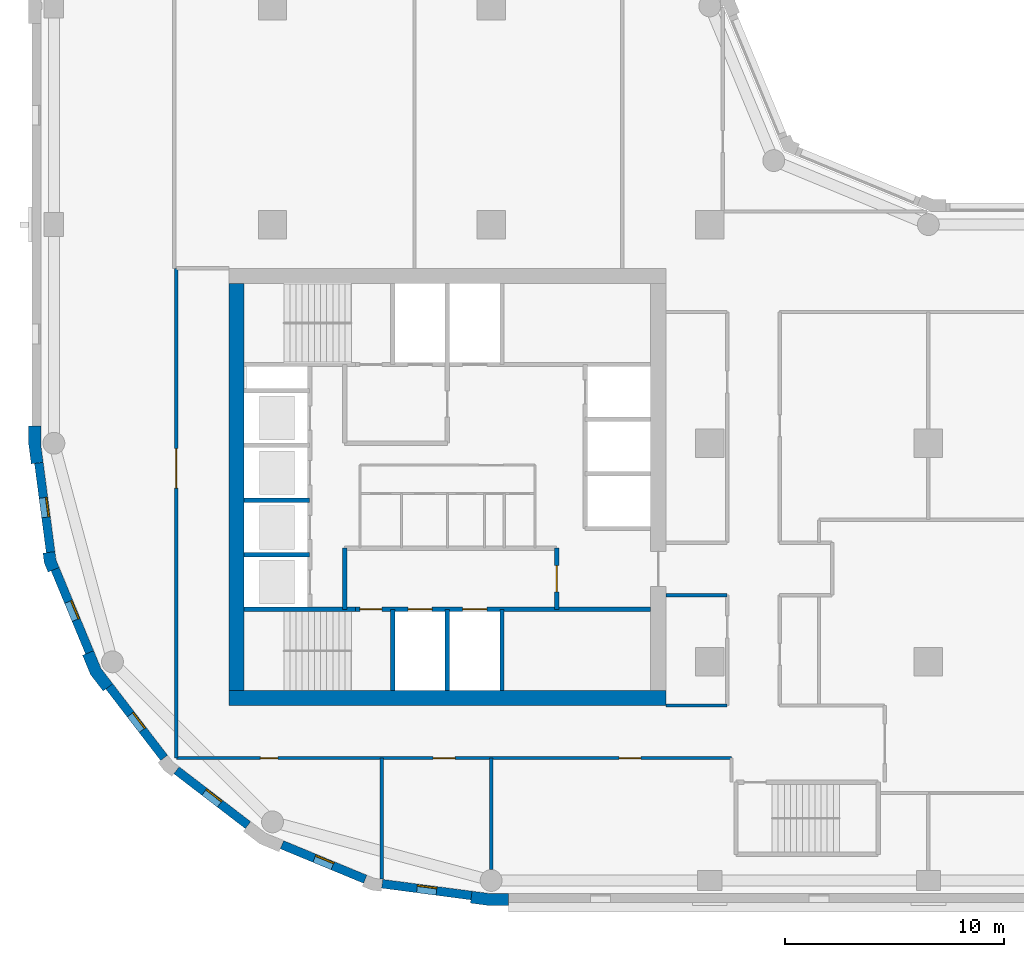
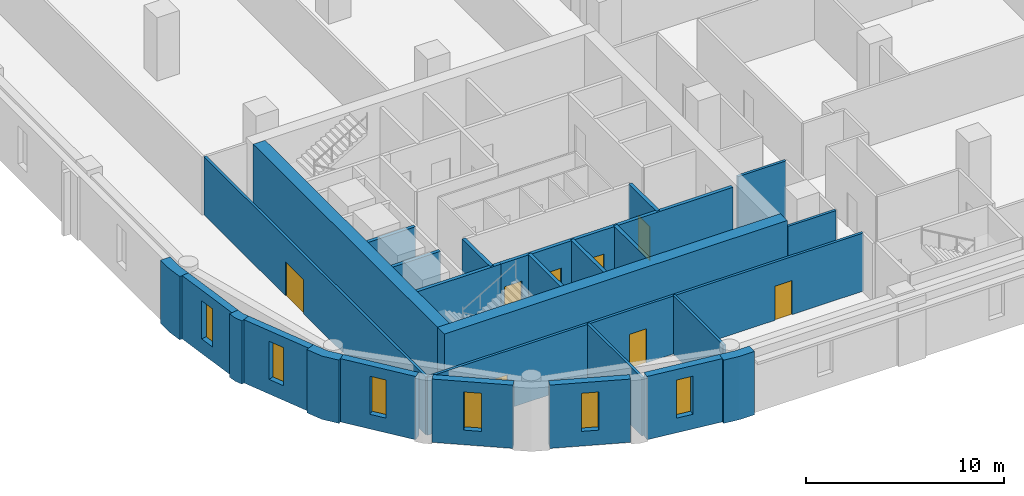
# One storey, part 2 of 9: 27 walls, 8 doors, 6 windows, 14 openings.
"""IFC4 building model written with IfcOpenShell, lengths in metres."""

from ifc_helpers import new_model, si_unit, direction, frame, frame_2d, origin, place, context, subcontext, project, spatial, polyline, rectangle, outline, extrude, material, layer, layer_set, type_object, element, fill, save


model = new_model("IFC4")

# Units and contexts
model_context = context("Model", 3, precision=1e-05, world=origin(), true_north=direction((0.0, 1.0)))
body_context = subcontext(model_context, "Body", "Model", "MODEL_VIEW")
ifc_project = project(units=[si_unit("LENGTHUNIT", "METRE"), si_unit("AREAUNIT", "SQUARE_METRE"), si_unit("VOLUMEUNIT", "CUBIC_METRE"), si_unit("PLANEANGLEUNIT", "RADIAN"), si_unit("MASSUNIT", "GRAM", prefix="KILO")], contexts=[model_context])

# Site, building, storey
site_placement = place(None, origin())
site = spatial("IfcSite", under=ifc_project, at=site_placement, CompositionType="ELEMENT")
building_placement = place(site_placement, origin())
building = spatial("IfcBuilding", under=site, at=building_placement, Name="Qaws Garden Tower", CompositionType="ELEMENT")
storey_placement = place(building_placement, frame((0.0, 0.0, 151.199951171875)))
storey = spatial("IfcBuildingStorey", under=building, at=storey_placement, Name="L36", CompositionType="ELEMENT", Elevation=151.199951171875)

# Wall, opening, window
ifc_material_1 = material(Name="Clay facing brick masonry", Category="masonry")
ifc_layer_1 = layer(ifc_material_1, 0.39990234375)
ifc_layer_set_1 = layer_set([ifc_layer_1], Name="Clay facing brick masonry")
wall_type_1 = type_object("IfcWallType", Name="Brick infill wall 400", PredefinedType="SOLIDWALL", material=ifc_layer_set_1)
wall_1_placement = place(storey_placement, frame((-0.688720703125, 19.102294921875, 0.0), z_axis=(0.0, 0.0, 1.0), x_axis=(0.130514280502, -0.991446429508, 0.0)))
wall_1 = element("IfcWall", 1, at=wall_1_placement, inside=storey, type_object=wall_type_1, Name="E-L36-infill-25", PredefinedType="SOLIDWALL", context=body_context, shape_type="SweptSolid", body=[
    extrude(rectangle(XDim=4.120849609375, YDim=0.39990234375, at=frame_2d((2.060546875, 0.0))), origin(), (0.0, 0.0, 1.0), 3.900146484375),
])
opening_1_placement = place(wall_1_placement, frame((1.610595703125, 0.0, 0.89990234375)))
opening_1 = element("IfcOpeningElement", 2, at=opening_1_placement, cuts=wall_1, Name="Opening W09", PredefinedType="OPENING", context=body_context, shape_type="SweptSolid", body=[
    extrude(rectangle(XDim=0.89990234375, YDim=2.35009765625, at=frame_2d((0.449951171875, 1.175048828125))), frame((0.0, 0.2099609375, 0.0), z_axis=(0.0, -1.0, 0.0), x_axis=(1.0, 0.0, 0.0)), (0.0, 0.0, 1.0), 0.419921875),
])
ifc_material_2 = material(Name="Aluminium framed window, clear glazing", Category="aluminium")
window_type = type_object("IfcWindowType", Name="Slit window 900 x 2350", PartitioningType="SINGLE_PANEL", PredefinedType="WINDOW", material=ifc_material_2)
window_1_placement = place(opening_1_placement, origin())
window_1 = element("IfcWindow", 3, at=window_1_placement, inside=storey, type_object=window_type, Name="E-L36-window-25-0", OverallHeight=2.35009765625, OverallWidth=0.89990234375, PartitioningType="SINGLE_PANEL", PredefinedType="WINDOW", context=body_context, shape_type="SweptSolid", body=[
    extrude(rectangle(XDim=0.89990234375, YDim=2.35009765625, at=frame_2d((0.449951171875, 1.175048828125))), frame((0.0, 0.159912109375, 0.0), z_axis=(0.0, -1.0, 0.0), x_axis=(1.0, 0.0, 0.0)), (0.0, 0.0, 1.0), 0.06005859375),
])
fill(opening_1, window_1)

wall_2_placement = place(storey_placement, frame((0.05712890625, 14.240234375, 0.0), z_axis=(0.0, 0.0, 1.0), x_axis=(0.382721546029, -0.923863744394, 0.0)))
wall_2 = element("IfcWall", 4, at=wall_2_placement, inside=storey, type_object=wall_type_1, Name="E-L36-infill-26", PredefinedType="SOLIDWALL", context=body_context, shape_type="SweptSolid", body=[
    extrude(rectangle(XDim=4.120849609375, YDim=0.39990234375, at=frame_2d((2.060546875, 0.0))), origin(), (0.0, 0.0, 1.0), 3.900146484375),
])
opening_2_placement = place(wall_2_placement, frame((1.610595703125, 0.0, 0.89990234375)))
opening_2 = element("IfcOpeningElement", 5, at=opening_2_placement, cuts=wall_2, Name="Opening W09", PredefinedType="OPENING", context=body_context, shape_type="SweptSolid", body=[
    extrude(rectangle(XDim=0.89990234375, YDim=2.35009765625, at=frame_2d((0.449951171875, 1.175048828125))), frame((0.0, 0.2099609375, 0.0), z_axis=(0.0, -1.0, 0.0), x_axis=(1.0, 0.0, 0.0)), (0.0, 0.0, 1.0), 0.419921875),
])
window_2_placement = place(opening_2_placement, origin())
window_2 = element("IfcWindow", 6, at=window_2_placement, inside=storey, type_object=window_type, Name="E-L36-window-26-0", OverallHeight=2.35009765625, OverallWidth=0.89990234375, PartitioningType="SINGLE_PANEL", PredefinedType="WINDOW", context=body_context, shape_type="SweptSolid", body=[
    extrude(rectangle(XDim=0.89990234375, YDim=2.35009765625, at=frame_2d((0.449951171875, 1.175048828125))), frame((0.0, 0.159912109375, 0.0), z_axis=(0.0, -1.0, 0.0), x_axis=(1.0, 0.0, 0.0)), (0.0, 0.0, 1.0), 0.06005859375),
])
fill(opening_2, window_2)

wall_3_placement = place(storey_placement, frame((2.53173828125, 8.87841796875, 0.0), z_axis=(0.0, 0.0, 1.0), x_axis=(0.608759824817, -0.793354571229, 0.0)))
wall_3 = element("IfcWall", 7, at=wall_3_placement, inside=storey, type_object=wall_type_1, Name="E-L36-infill-27", PredefinedType="SOLIDWALL", context=body_context, shape_type="SweptSolid", body=[
    extrude(rectangle(XDim=4.12109375, YDim=0.39990234375, at=frame_2d((2.060546875, 0.0))), origin(), (0.0, 0.0, 1.0), 3.900146484375),
])
opening_3_placement = place(wall_3_placement, frame((1.610595703125, 0.0, 0.89990234375)))
opening_3 = element("IfcOpeningElement", 8, at=opening_3_placement, cuts=wall_3, Name="Opening W09", PredefinedType="OPENING", context=body_context, shape_type="SweptSolid", body=[
    extrude(rectangle(XDim=0.89990234375, YDim=2.35009765625, at=frame_2d((0.449951171875, 1.175048828125))), frame((0.0, 0.2099609375, 0.0), z_axis=(0.0, -1.0, 0.0), x_axis=(1.0, 0.0, 0.0)), (0.0, 0.0, 1.0), 0.419921875),
])
window_3_placement = place(opening_3_placement, origin())
window_3 = element("IfcWindow", 9, at=window_3_placement, inside=storey, type_object=window_type, Name="E-L36-window-27-0", OverallHeight=2.35009765625, OverallWidth=0.89990234375, PartitioningType="SINGLE_PANEL", PredefinedType="WINDOW", context=body_context, shape_type="SweptSolid", body=[
    extrude(rectangle(XDim=0.89990234375, YDim=2.35009765625, at=frame_2d((0.449951171875, 1.175048828125))), frame((0.0, 0.159912109375, 0.0), z_axis=(0.0, -1.0, 0.0), x_axis=(1.0, 0.0, 0.0)), (0.0, 0.0, 1.0), 0.06005859375),
])
fill(opening_3, window_3)

wall_4_placement = place(storey_placement, frame((5.60888671875, 5.04052734375, 0.0), z_axis=(0.0, 0.0, 1.0), x_axis=(0.793354571229, -0.608759824817, 0.0)))
wall_4 = element("IfcWall", 10, at=wall_4_placement, inside=storey, type_object=wall_type_1, Name="E-L36-infill-28", PredefinedType="SOLIDWALL", context=body_context, shape_type="SweptSolid", body=[
    extrude(rectangle(XDim=4.12109375, YDim=0.39990234375, at=frame_2d((2.060546875, 0.0))), origin(), (0.0, 0.0, 1.0), 3.900146484375),
])
opening_4_placement = place(wall_4_placement, frame((1.610595703125, 0.0, 0.89990234375)))
opening_4 = element("IfcOpeningElement", 11, at=opening_4_placement, cuts=wall_4, Name="Opening W09", PredefinedType="OPENING", context=body_context, shape_type="SweptSolid", body=[
    extrude(rectangle(XDim=0.89990234375, YDim=2.35009765625, at=frame_2d((0.449951171875, 1.175048828125))), frame((0.0, 0.2099609375, 0.0), z_axis=(0.0, -1.0, 0.0), x_axis=(1.0, 0.0, 0.0)), (0.0, 0.0, 1.0), 0.419921875),
])
window_4_placement = place(opening_4_placement, origin())
window_4 = element("IfcWindow", 12, at=window_4_placement, inside=storey, type_object=window_type, Name="E-L36-window-28-0", OverallHeight=2.35009765625, OverallWidth=0.89990234375, PartitioningType="SINGLE_PANEL", PredefinedType="WINDOW", context=body_context, shape_type="SweptSolid", body=[
    extrude(rectangle(XDim=0.89990234375, YDim=2.35009765625, at=frame_2d((0.449951171875, 1.175048828125))), frame((0.0, 0.159912109375, 0.0), z_axis=(0.0, -1.0, 0.0), x_axis=(1.0, 0.0, 0.0)), (0.0, 0.0, 1.0), 0.06005859375),
])
fill(opening_4, window_4)

wall_5_placement = place(storey_placement, frame((10.43310546875, 1.63427734375, 0.0), z_axis=(0.0, 0.0, 1.0), x_axis=(0.923863744394, -0.382721546029, 0.0)))
wall_5 = element("IfcWall", 13, at=wall_5_placement, inside=storey, type_object=wall_type_1, Name="E-L36-infill-29", PredefinedType="SOLIDWALL", context=body_context, shape_type="SweptSolid", body=[
    extrude(rectangle(XDim=4.120849609375, YDim=0.39990234375, at=frame_2d((2.060546875, 0.0))), origin(), (0.0, 0.0, 1.0), 3.900146484375),
])
opening_5_placement = place(wall_5_placement, frame((1.610595703125, 0.0, 0.89990234375)))
opening_5 = element("IfcOpeningElement", 14, at=opening_5_placement, cuts=wall_5, Name="Opening W09", PredefinedType="OPENING", context=body_context, shape_type="SweptSolid", body=[
    extrude(rectangle(XDim=0.89990234375, YDim=2.35009765625, at=frame_2d((0.449951171875, 1.175048828125))), frame((0.0, 0.2099609375, 0.0), z_axis=(0.0, -1.0, 0.0), x_axis=(1.0, 0.0, 0.0)), (0.0, 0.0, 1.0), 0.419921875),
])
window_5_placement = place(opening_5_placement, origin())
window_5 = element("IfcWindow", 15, at=window_5_placement, inside=storey, type_object=window_type, Name="E-L36-window-29-0", OverallHeight=2.35009765625, OverallWidth=0.89990234375, PartitioningType="SINGLE_PANEL", PredefinedType="WINDOW", context=body_context, shape_type="SweptSolid", body=[
    extrude(rectangle(XDim=0.89990234375, YDim=2.35009765625, at=frame_2d((0.449951171875, 1.175048828125))), frame((0.0, 0.159912109375, 0.0), z_axis=(0.0, -1.0, 0.0), x_axis=(1.0, 0.0, 0.0)), (0.0, 0.0, 1.0), 0.06005859375),
])
fill(opening_5, window_5)

wall_6_placement = place(storey_placement, frame((15.0166015625, -0.15087890625, 0.0), z_axis=(0.0, 0.0, 1.0), x_axis=(0.991446429508, -0.130514280502, 0.0)))
wall_6 = element("IfcWall", 16, at=wall_6_placement, inside=storey, type_object=wall_type_1, Name="E-L36-infill-30", PredefinedType="SOLIDWALL", context=body_context, shape_type="SweptSolid", body=[
    extrude(rectangle(XDim=4.120849609375, YDim=0.39990234375, at=frame_2d((2.060546875, 0.0))), origin(), (0.0, 0.0, 1.0), 3.900146484375),
])
opening_6_placement = place(wall_6_placement, frame((1.610595703125, 0.0, 0.89990234375)))
opening_6 = element("IfcOpeningElement", 17, at=opening_6_placement, cuts=wall_6, Name="Opening W09", PredefinedType="OPENING", context=body_context, shape_type="SweptSolid", body=[
    extrude(rectangle(XDim=0.89990234375, YDim=2.35009765625, at=frame_2d((0.449951171875, 1.175048828125))), frame((0.0, 0.2099609375, 0.0), z_axis=(0.0, -1.0, 0.0), x_axis=(1.0, 0.0, 0.0)), (0.0, 0.0, 1.0), 0.419921875),
])
window_6_placement = place(opening_6_placement, origin())
window_6 = element("IfcWindow", 18, at=window_6_placement, inside=storey, type_object=window_type, Name="E-L36-window-30-0", OverallHeight=2.35009765625, OverallWidth=0.89990234375, PartitioningType="SINGLE_PANEL", PredefinedType="WINDOW", context=body_context, shape_type="SweptSolid", body=[
    extrude(rectangle(XDim=0.89990234375, YDim=2.35009765625, at=frame_2d((0.449951171875, 1.175048828125))), frame((0.0, 0.159912109375, 0.0), z_axis=(0.0, -1.0, 0.0), x_axis=(1.0, 0.0, 0.0)), (0.0, 0.0, 1.0), 0.06005859375),
])
fill(opening_6, window_6)

# Walls
ifc_material_3 = material(Name="Clay facing brick masonry", Category="masonry")
ifc_layer_2 = layer(ifc_material_3, 0.550048828125)
ifc_layer_set_2 = layer_set([ifc_layer_2], Name="Clay facing brick masonry")
wall_type_2 = type_object("IfcWallType", Name="Brick kink pier 550 x 600", PredefinedType="SOLIDWALL", material=ifc_layer_set_2)
placement = place(storey_placement, origin())
element("IfcWall", 19, at=placement, inside=storey, type_object=wall_type_2, Name="E-L36-pier-26", PredefinedType="SOLIDWALL", context=body_context, shape_type="SweptSolid", body=[
    extrude(outline(polyline([(-0.34912109375, 14.990478515625), (-0.497802734375, 14.970947265625), (-0.43896484375, 14.5234375), (-0.26611328125, 14.1064453125), (-0.127685546875, 14.163818359375), (0.241943359375, 14.31689453125), (0.096923828125, 14.6669921875), (0.04736328125, 15.042724609375), (-0.34912109375, 14.990478515625)])), origin(), (0.0, 0.0, 1.0), 3.900146484375),
])
ifc_material_4 = material(Name="Clay facing brick masonry", Category="masonry")
ifc_layer_3 = layer(ifc_material_4, 0.550048828125)
ifc_layer_set_3 = layer_set([ifc_layer_3], Name="Clay facing brick masonry")
wall_type_3 = type_object("IfcWallType", Name="Brick pier 550 x 1600", PredefinedType="SOLIDWALL", material=ifc_layer_set_3)
element("IfcWall", 20, at=placement, inside=storey, type_object=wall_type_3, Name="E-L36-pier-00", PredefinedType="SOLIDWALL", context=body_context, shape_type="SweptSolid", body=[
    extrude(outline(polyline([(19.076416015625, -0.886962890625), (19.056640625, -1.03564453125), (19.924560546875, -1.14990234375), (20.800048828125, -1.14990234375), (20.800048828125, -1.0), (20.800048828125, -0.60009765625), (19.960693359375, -0.60009765625), (19.12841796875, -0.490478515625), (19.076416015625, -0.886962890625)])), origin(), (0.0, 0.0, 1.0), 3.900146484375),
])
element("IfcWall", 21, at=placement, inside=storey, type_object=wall_type_3, Name="E-L36-pier-25", PredefinedType="SOLIDWALL", context=body_context, shape_type="SweptSolid", body=[
    extrude(outline(polyline([(-1.0, 20.800048828125), (-1.14990234375, 20.800048828125), (-1.14990234375, 19.924560546875), (-1.03564453125, 19.056640625), (-0.886962890625, 19.076416015625), (-0.490478515625, 19.12841796875), (-0.60009765625, 19.960693359375), (-0.60009765625, 20.800048828125), (-1.0, 20.800048828125)])), origin(), (0.0, 0.0, 1.0), 3.900146484375),
])
element("IfcWall", 22, at=placement, inside=storey, type_object=wall_type_3, Name="E-L36-pier-27", PredefinedType="SOLIDWALL", context=body_context, shape_type="SweptSolid", body=[
    extrude(outline(polyline([(1.449462890625, 10.3564453125), (1.310791015625, 10.299072265625), (1.675048828125, 9.419921875), (2.254150390625, 8.665283203125), (2.373046875, 8.756591796875), (2.6904296875, 9.0), (2.1552734375, 9.697509765625), (1.819091796875, 10.509521484375), (1.449462890625, 10.3564453125)])), origin(), (0.0, 0.0, 1.0), 3.900146484375),
])
ifc_material_5 = material(Name="Concrete C70", Category="concrete")
ifc_layer_4 = layer(ifc_material_5, 0.199951171875)
ifc_layer_set_4 = layer_set([ifc_layer_4], Name="Concrete C70")
wall_type_4 = type_object("IfcWallType", Name="Core shaft wall 200 C70", PredefinedType="SHEAR", material=ifc_layer_set_4)
wall_11_placement = place(storey_placement, frame((8.699951171875, 12.39990234375, 0.0), z_axis=(0.0, 0.0, 1.0), x_axis=(1.0, 0.0, 0.0)))
element("IfcWall", 23, at=wall_11_placement, inside=storey, type_object=wall_type_4, Name="Shaft wall", PredefinedType="SHEAR", context=body_context, shape_type="SweptSolid", body=[
    extrude(rectangle(XDim=5.10009765625, YDim=0.199951171875, at=frame_2d((2.550048828125, 0.0))), origin(), (0.0, 0.0, 1.0), 3.580078125),
])

# Wall, openings, doors
wall_12_placement = place(storey_placement, frame((13.800048828125, 12.39990234375, 0.0), z_axis=(0.0, 0.0, 1.0), x_axis=(1.0, 0.0, 0.0)))
wall_12 = element("IfcWall", 24, at=wall_12_placement, inside=storey, type_object=wall_type_4, Name="Shaft wall", PredefinedType="SHEAR", context=body_context, shape_type="SweptSolid", body=[
    extrude(rectangle(XDim=13.5, YDim=0.199951171875, at=frame_2d((6.75, 0.0))), origin(), (0.0, 0.0, 1.0), 3.580078125),
])
opening_7_placement = place(wall_12_placement, frame((2.39990234375, 0.0, 0.0)))
opening_7 = element("IfcOpeningElement", 25, at=opening_7_placement, cuts=wall_12, Name="Opening LD06", PredefinedType="OPENING", context=body_context, shape_type="SweptSolid", body=[
    extrude(rectangle(XDim=1.10009765625, YDim=2.10009765625, at=frame_2d((0.550048828125, 1.050048828125))), frame((0.0, 0.10986328125, 0.0), z_axis=(0.0, -1.0, 0.0), x_axis=(1.0, 0.0, 0.0)), (0.0, 0.0, 1.0), 0.219970703125),
])
opening_8_placement = place(wall_12_placement, frame((4.89990234375, 0.0, 0.0)))
opening_8 = element("IfcOpeningElement", 26, at=opening_8_placement, cuts=wall_12, Name="Opening LD07", PredefinedType="OPENING", context=body_context, shape_type="SweptSolid", body=[
    extrude(rectangle(XDim=1.10009765625, YDim=2.10009765625, at=frame_2d((0.550048828125, 1.050048828125))), frame((0.0, 0.10986328125, 0.0), z_axis=(0.0, -1.0, 0.0), x_axis=(1.0, 0.0, 0.0)), (0.0, 0.0, 1.0), 0.219970703125),
])
opening_9_placement = place(wall_12_placement, frame((0.199951171875, 0.0, 0.0)))
opening_9 = element("IfcOpeningElement", 27, at=opening_9_placement, cuts=wall_12, Name="Opening SD10", PredefinedType="OPENING", context=body_context, shape_type="SweptSolid", body=[
    extrude(rectangle(XDim=1.0, YDim=2.10009765625, at=frame_2d((0.5, 1.050048828125))), frame((0.0, 0.10986328125, 0.0), z_axis=(0.0, -1.0, 0.0), x_axis=(1.0, 0.0, 0.0)), (0.0, 0.0, 1.0), 0.219970703125),
])
ifc_material_6 = material(Name="Steel S235", Category="steel")
door_type_1 = type_object("IfcDoorType", Name="Landing door 1100x2100", OperationType="DOUBLE_DOOR_SLIDING", PredefinedType="DOOR", material=ifc_material_6)
door_1_placement = place(opening_7_placement, origin())
door_1 = element("IfcDoor", 28, at=door_1_placement, inside=storey, type_object=door_type_1, Name="Lift FF1 landing door", OperationType="DOUBLE_DOOR_SLIDING", OverallHeight=2.10009765625, OverallWidth=1.10009765625, PredefinedType="DOOR", context=body_context, shape_type="SweptSolid", body=[
    extrude(rectangle(XDim=1.10009765625, YDim=2.10009765625, at=frame_2d((0.550048828125, 1.050048828125))), frame((0.0, 0.02490234375, 0.0), z_axis=(0.0, -1.0, 0.0), x_axis=(1.0, 0.0, 0.0)), (0.0, 0.0, 1.0), 0.050048828125),
])
fill(opening_7, door_1)
door_2_placement = place(opening_8_placement, origin())
door_2 = element("IfcDoor", 29, at=door_2_placement, inside=storey, type_object=door_type_1, Name="Lift FF2 landing door", OperationType="DOUBLE_DOOR_SLIDING", OverallHeight=2.10009765625, OverallWidth=1.10009765625, PredefinedType="DOOR", context=body_context, shape_type="SweptSolid", body=[
    extrude(rectangle(XDim=1.10009765625, YDim=2.10009765625, at=frame_2d((0.550048828125, 1.050048828125))), frame((0.0, 0.02490234375, 0.0), z_axis=(0.0, -1.0, 0.0), x_axis=(1.0, 0.0, 0.0)), (0.0, 0.0, 1.0), 0.050048828125),
])
fill(opening_8, door_2)
ifc_material_7 = material(Name="Steel S235", Category="steel")
door_type_2 = type_object("IfcDoorType", Name="Stair door 1000x2100", OperationType="SINGLE_SWING_RIGHT", PredefinedType="DOOR", material=ifc_material_7)
door_3_placement = place(opening_9_placement, frame((1.0, 0.0, 0.0), z_axis=(0.0, 0.0, 1.0), x_axis=(-1.0, 0.0, 0.0)))
door_3 = element("IfcDoor", 30, at=door_3_placement, inside=storey, type_object=door_type_2, Name="Stair 1 door", OperationType="SINGLE_SWING_LEFT", OverallHeight=2.10009765625, OverallWidth=1.0, PredefinedType="DOOR", context=body_context, shape_type="SweptSolid", body=[
    extrude(rectangle(XDim=1.0, YDim=2.10009765625, at=frame_2d((0.5, 1.050048828125))), frame((0.0, 0.02490234375, 0.0), z_axis=(0.0, -1.0, 0.0), x_axis=(1.0, 0.0, 0.0)), (0.0, 0.0, 1.0), 0.050048828125),
])
fill(opening_9, door_3)

# Walls
for number, where, z_axis, x_axis, name in (
    (31, (8.699951171875, 14.89990234375, 0.0), (0.0, 0.0, 1.0), (1.0, 0.0, 0.0), "Shaft wall"),
    (32, (8.699951171875, 17.39990234375, 0.0), (0.0, 0.0, 1.0), (1.0, 0.0, 0.0), "Shaft wall"),
):
    element("IfcWall", number, at=place(storey_placement, frame(where, z_axis=z_axis, x_axis=x_axis)), inside=storey, type_object=wall_type_4, Name=name, PredefinedType="SHEAR", context=body_context, shape_type="SweptSolid", body=[
        extrude(rectangle(XDim=3.0, YDim=0.199951171875, at=frame_2d((1.5, 0.0))), origin(), (0.0, 0.0, 1.0), 3.580078125),
    ])
wall_13_placement = place(storey_placement, frame((13.300048828125, 12.39990234375, 0.0), z_axis=(0.0, 0.0, 1.0), x_axis=(0.0, 1.0, 0.0)))
element("IfcWall", 33, at=wall_13_placement, inside=storey, type_object=wall_type_4, Name="Shaft wall", PredefinedType="SHEAR", context=body_context, shape_type="SweptSolid", body=[
    extrude(rectangle(XDim=2.800048828125, YDim=0.199951171875, at=frame_2d((1.39990234375, 0.0))), origin(), (0.0, 0.0, 1.0), 3.580078125),
])
for number, where, z_axis, x_axis, name in (
    (34, (15.5, 8.699951171875, 0.0), (0.0, 0.0, 1.0), (0.0, 1.0, 0.0), "Shaft wall"),
    (35, (18.0, 8.699951171875, 0.0), (0.0, 0.0, 1.0), (0.0, 1.0, 0.0), "Shaft wall"),
    (36, (20.5, 8.699951171875, 0.0), (0.0, 0.0, 1.0), (0.0, 1.0, 0.0), "Shaft wall"),
):
    element("IfcWall", number, at=place(storey_placement, frame(where, z_axis=z_axis, x_axis=x_axis)), inside=storey, type_object=wall_type_4, Name=name, PredefinedType="SHEAR", context=body_context, shape_type="SweptSolid", body=[
        extrude(rectangle(XDim=3.699951171875, YDim=0.199951171875, at=frame_2d((1.85009765625, 0.0))), origin(), (0.0, 0.0, 1.0), 3.580078125),
    ])

# Wall, opening, door
wall_14_placement = place(storey_placement, frame((23.0, 12.39990234375, 0.0), z_axis=(0.0, 0.0, 1.0), x_axis=(0.0, 1.0, 0.0)))
wall_14 = element("IfcWall", 37, at=wall_14_placement, inside=storey, type_object=wall_type_4, Name="Shaft wall", PredefinedType="SHEAR", context=body_context, shape_type="SweptSolid", body=[
    extrude(rectangle(XDim=2.800048828125, YDim=0.199951171875, at=frame_2d((1.39990234375, 0.0))), origin(), (0.0, 0.0, 1.0), 3.580078125),
])
opening_10_placement = place(wall_14_placement, frame((0.800048828125, 0.0, 0.0)))
opening_10 = element("IfcOpeningElement", 38, at=opening_10_placement, cuts=wall_14, Name="Opening FD15", PredefinedType="OPENING", context=body_context, shape_type="SweptSolid", body=[
    extrude(rectangle(XDim=1.199951171875, YDim=2.10009765625, at=frame_2d((0.60009765625, 1.050048828125))), frame((0.0, 0.10986328125, 0.0), z_axis=(0.0, -1.0, 0.0), x_axis=(1.0, 0.0, 0.0)), (0.0, 0.0, 1.0), 0.219970703125),
])
ifc_material_8 = material(Name="Steel S235", Category="steel")
door_type_3 = type_object("IfcDoorType", Name="Lobby door 1200x2100", OperationType="DOUBLE_DOOR_SINGLE_SWING", PredefinedType="DOOR", material=ifc_material_8)
door_4_placement = place(opening_10_placement, origin())
door_4 = element("IfcDoor", 39, at=door_4_placement, inside=storey, type_object=door_type_3, Name="Fire-fighting lobby door", OperationType="DOUBLE_DOOR_SINGLE_SWING", OverallHeight=2.10009765625, OverallWidth=1.199951171875, PredefinedType="DOOR", context=body_context, shape_type="SweptSolid", body=[
    extrude(rectangle(XDim=1.199951171875, YDim=2.10009765625, at=frame_2d((0.60009765625, 1.050048828125))), frame((0.0, 0.02490234375, 0.0), z_axis=(0.0, -1.0, 0.0), x_axis=(1.0, 0.0, 0.0)), (0.0, 0.0, 1.0), 0.050048828125),
])
fill(opening_10, door_4)

# Walls
ifc_material_9 = material(Name="Concrete C70", Category="concrete")
ifc_layer_5 = layer(ifc_material_9, 0.699951171875)
ifc_layer_set_5 = layer_set([ifc_layer_5], Name="Concrete C70")
wall_type_5 = type_object("IfcWallType", Name="Core wall 700 C70", PredefinedType="SHEAR", material=ifc_layer_set_5)
wall_15_placement = place(storey_placement, frame((8.0, 8.35009765625, 0.0), z_axis=(0.0, 0.0, 1.0), x_axis=(1.0, 0.0, 0.0)))
element("IfcWall", 40, at=wall_15_placement, inside=storey, type_object=wall_type_5, Name="Core wall L36 south", PredefinedType="SHEAR", context=body_context, shape_type="SweptSolid", body=[
    extrude(rectangle(XDim=20.0, YDim=0.699951171875, at=frame_2d((10.0, 0.0))), origin(), (0.0, 0.0, 1.0), 3.900146484375),
])
wall_16_placement = place(storey_placement, frame((8.35009765625, 27.300048828125, 0.0), z_axis=(0.0, 0.0, 1.0), x_axis=(0.0, -1.0, 0.0)))
element("IfcWall", 41, at=wall_16_placement, inside=storey, type_object=wall_type_5, Name="Core wall L36 west", PredefinedType="SHEAR", context=body_context, shape_type="SweptSolid", body=[
    extrude(rectangle(XDim=18.60009765625, YDim=0.699951171875, at=frame_2d((9.300048828125, 0.0))), origin(), (0.0, 0.0, 1.0), 3.900146484375),
])

# Wall, opening, door
ifc_material_10 = material(Name="Gypsum board partition")
ifc_layer_6 = layer(ifc_material_10, 0.14990234375)
ifc_layer_set_6 = layer_set([ifc_layer_6], Name="Gypsum board partition")
wall_type_6 = type_object("IfcWallType", Name="PARTITION 150 EI 60", PredefinedType="PARTITIONING", material=ifc_layer_set_6)
wall_17_placement = place(storey_placement, frame((5.60009765625, 5.60009765625, 0.0), z_axis=(0.0, 0.0, 1.0), x_axis=(0.0, 1.0, 0.0)))
wall_17 = element("IfcWall", 42, at=wall_17_placement, inside=storey, type_object=wall_type_6, Name="O-L36-wall-005", PredefinedType="PARTITIONING", context=body_context, shape_type="SweptSolid", body=[
    extrude(rectangle(XDim=22.39990234375, YDim=0.14990234375, at=frame_2d((11.199951171875, 0.0))), origin(), (0.0, 0.0, 1.0), 3.580078125),
])
opening_11_placement = place(wall_17_placement, frame((12.35009765625, 0.0, 0.0)))
opening_11 = element("IfcOpeningElement", 43, at=opening_11_placement, cuts=wall_17, Name="Opening B206", PredefinedType="OPENING", context=body_context, shape_type="SweptSolid", body=[
    extrude(rectangle(XDim=1.800048828125, YDim=2.10009765625, at=frame_2d((0.89990234375, 1.050048828125))), frame((0.0, 0.0849609375, 0.0), z_axis=(0.0, -1.0, 0.0), x_axis=(1.0, 0.0, 0.0)), (0.0, 0.0, 1.0), 0.169921875),
])
ifc_material_11 = material(Name="Timber door leaf", Category="wood")
door_type_4 = type_object("IfcDoorType", Name="DOUBLE DOOR 1800 X 2100", OperationType="DOUBLE_DOOR_SINGLE_SWING", PredefinedType="DOOR", material=ifc_material_11)
door_5_placement = place(opening_11_placement, origin())
door_5 = element("IfcDoor", 44, at=door_5_placement, inside=storey, type_object=door_type_4, Name="O-L36-door-006", OperationType="DOUBLE_DOOR_SINGLE_SWING", OverallHeight=2.10009765625, OverallWidth=1.800048828125, PredefinedType="DOOR", context=body_context, shape_type="SweptSolid", body=[
    extrude(rectangle(XDim=1.800048828125, YDim=2.10009765625, at=frame_2d((0.89990234375, 1.050048828125))), frame((0.0, 0.02490234375, 0.0), z_axis=(0.0, -1.0, 0.0), x_axis=(1.0, 0.0, 0.0)), (0.0, 0.0, 1.0), 0.050048828125),
])
fill(opening_11, door_5)

# Walls
wall_18_placement = place(storey_placement, frame((15.0, 0.06298828125, 0.0), z_axis=(0.0, 0.0, 1.0), x_axis=(0.0, 1.0, 0.0)))
element("IfcWall", 45, at=wall_18_placement, inside=storey, type_object=wall_type_6, Name="O-L36-wall-008", PredefinedType="PARTITIONING", context=body_context, shape_type="SweptSolid", body=[
    extrude(rectangle(XDim=5.537109375, YDim=0.14990234375, at=frame_2d((2.7685546875, 0.0))), origin(), (0.0, 0.0, 1.0), 3.580078125),
])
wall_19_placement = place(storey_placement, frame((20.0, 0.5, 0.0), z_axis=(0.0, 0.0, 1.0), x_axis=(0.0, 1.0, 0.0)))
element("IfcWall", 46, at=wall_19_placement, inside=storey, type_object=wall_type_6, Name="O-L36-wall-011", PredefinedType="PARTITIONING", context=body_context, shape_type="SweptSolid", body=[
    extrude(rectangle(XDim=5.10009765625, YDim=0.14990234375, at=frame_2d((2.550048828125, 0.0))), origin(), (0.0, 0.0, 1.0), 3.580078125),
])

# Wall, openings, doors
wall_20_placement = place(storey_placement, frame((5.60009765625, 5.60009765625, 0.0), z_axis=(0.0, 0.0, 1.0), x_axis=(1.0, 0.0, 0.0)))
wall_20 = element("IfcWall", 47, at=wall_20_placement, inside=storey, type_object=wall_type_6, Name="O-L36-wall-033", PredefinedType="PARTITIONING", context=body_context, shape_type="SweptSolid", body=[
    extrude(rectangle(XDim=25.39990234375, YDim=0.14990234375, at=frame_2d((12.699951171875, 0.0))), origin(), (0.0, 0.0, 1.0), 3.580078125),
])
opening_12_placement = place(wall_20_placement, frame((3.85009765625, 0.0, 0.0)))
opening_12 = element("IfcOpeningElement", 48, at=opening_12_placement, cuts=wall_20, Name="Opening B201", PredefinedType="OPENING", context=body_context, shape_type="SweptSolid", body=[
    extrude(rectangle(XDim=0.800048828125, YDim=2.10009765625, at=frame_2d((0.39990234375, 1.050048828125))), frame((0.0, 0.0849609375, 0.0), z_axis=(0.0, -1.0, 0.0), x_axis=(1.0, 0.0, 0.0)), (0.0, 0.0, 1.0), 0.169921875),
])
opening_13_placement = place(wall_20_placement, frame((11.75, 0.0, 0.0)))
opening_13 = element("IfcOpeningElement", 49, at=opening_13_placement, cuts=wall_20, Name="Opening B202", PredefinedType="OPENING", context=body_context, shape_type="SweptSolid", body=[
    extrude(rectangle(XDim=1.0, YDim=2.10009765625, at=frame_2d((0.5, 1.050048828125))), frame((0.0, 0.0849609375, 0.0), z_axis=(0.0, -1.0, 0.0), x_axis=(1.0, 0.0, 0.0)), (0.0, 0.0, 1.0), 0.169921875),
])
opening_14_placement = place(wall_20_placement, frame((20.25, 0.0, 0.0)))
opening_14 = element("IfcOpeningElement", 50, at=opening_14_placement, cuts=wall_20, Name="Opening B211", PredefinedType="OPENING", context=body_context, shape_type="SweptSolid", body=[
    extrude(rectangle(XDim=1.0, YDim=2.10009765625, at=frame_2d((0.5, 1.050048828125))), frame((0.0, 0.0849609375, 0.0), z_axis=(0.0, -1.0, 0.0), x_axis=(1.0, 0.0, 0.0)), (0.0, 0.0, 1.0), 0.169921875),
])
ifc_material_12 = material(Name="Timber door leaf", Category="wood")
door_type_5 = type_object("IfcDoorType", Name="STORE DOOR 800 X 2100", OperationType="SINGLE_SWING_LEFT", PredefinedType="DOOR", material=ifc_material_12)
door_6_placement = place(opening_12_placement, frame((0.800048828125, 0.0, 0.0), z_axis=(0.0, 0.0, 1.0), x_axis=(-1.0, 0.0, 0.0)))
door_6 = element("IfcDoor", 51, at=door_6_placement, inside=storey, type_object=door_type_5, Name="O-L36-door-001", OperationType="SINGLE_SWING_LEFT", OverallHeight=2.10009765625, OverallWidth=0.800048828125, PredefinedType="DOOR", context=body_context, shape_type="SweptSolid", body=[
    extrude(rectangle(XDim=0.800048828125, YDim=2.10009765625, at=frame_2d((0.39990234375, 1.050048828125))), frame((0.0, 0.02490234375, 0.0), z_axis=(0.0, -1.0, 0.0), x_axis=(1.0, 0.0, 0.0)), (0.0, 0.0, 1.0), 0.050048828125),
])
fill(opening_12, door_6)
ifc_material_13 = material(Name="Timber door leaf", Category="wood")
door_type_6 = type_object("IfcDoorType", Name="TENANCY ENTRANCE DOOR 1000 X 2100", OperationType="SINGLE_SWING_LEFT", PredefinedType="DOOR", material=ifc_material_13)
door_7_placement = place(opening_13_placement, frame((1.0, 0.0, 0.0), z_axis=(0.0, 0.0, 1.0), x_axis=(-1.0, 0.0, 0.0)))
door_7 = element("IfcDoor", 52, at=door_7_placement, inside=storey, type_object=door_type_6, Name="O-L36-door-002", OperationType="SINGLE_SWING_LEFT", OverallHeight=2.10009765625, OverallWidth=1.0, PredefinedType="DOOR", context=body_context, shape_type="SweptSolid", body=[
    extrude(rectangle(XDim=1.0, YDim=2.10009765625, at=frame_2d((0.5, 1.050048828125))), frame((0.0, 0.02490234375, 0.0), z_axis=(0.0, -1.0, 0.0), x_axis=(1.0, 0.0, 0.0)), (0.0, 0.0, 1.0), 0.050048828125),
])
fill(opening_13, door_7)
door_8_placement = place(opening_14_placement, frame((1.0, 0.0, 0.0), z_axis=(0.0, 0.0, 1.0), x_axis=(-1.0, 0.0, 0.0)))
door_8 = element("IfcDoor", 53, at=door_8_placement, inside=storey, type_object=door_type_6, Name="O-L36-door-011", OperationType="SINGLE_SWING_LEFT", OverallHeight=2.10009765625, OverallWidth=1.0, PredefinedType="DOOR", context=body_context, shape_type="SweptSolid", body=[
    extrude(rectangle(XDim=1.0, YDim=2.10009765625, at=frame_2d((0.5, 1.050048828125))), frame((0.0, 0.02490234375, 0.0), z_axis=(0.0, -1.0, 0.0), x_axis=(1.0, 0.0, 0.0)), (0.0, 0.0, 1.0), 0.050048828125),
])
fill(opening_14, door_8)

# Walls
for number, where, z_axis, x_axis, name in (
    (54, (28.0, 8.0, 0.0), (0.0, 0.0, 1.0), (1.0, 0.0, 0.0), "O-L36-wall-034"),
    (55, (28.0, 13.050048828125, 0.0), (0.0, 0.0, 1.0), (1.0, 0.0, 0.0), "O-L36-wall-036"),
):
    element("IfcWall", number, at=place(storey_placement, frame(where, z_axis=z_axis, x_axis=x_axis)), inside=storey, type_object=wall_type_6, Name=name, PredefinedType="PARTITIONING", context=body_context, shape_type="SweptSolid", body=[
        extrude(rectangle(XDim=2.800048828125, YDim=0.14990234375, at=frame_2d((1.39990234375, 0.0))), origin(), (0.0, 0.0, 1.0), 3.580078125),
    ])

save(model, "model.ifc")
